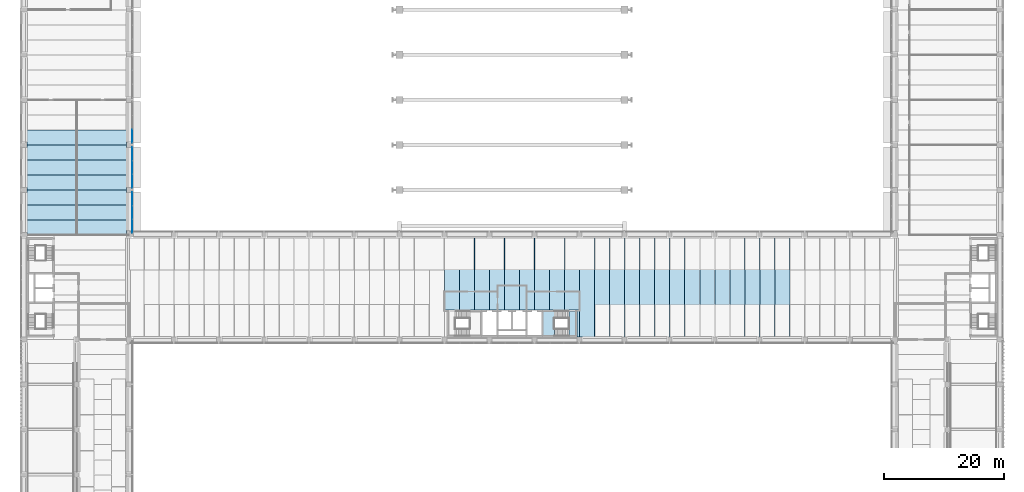
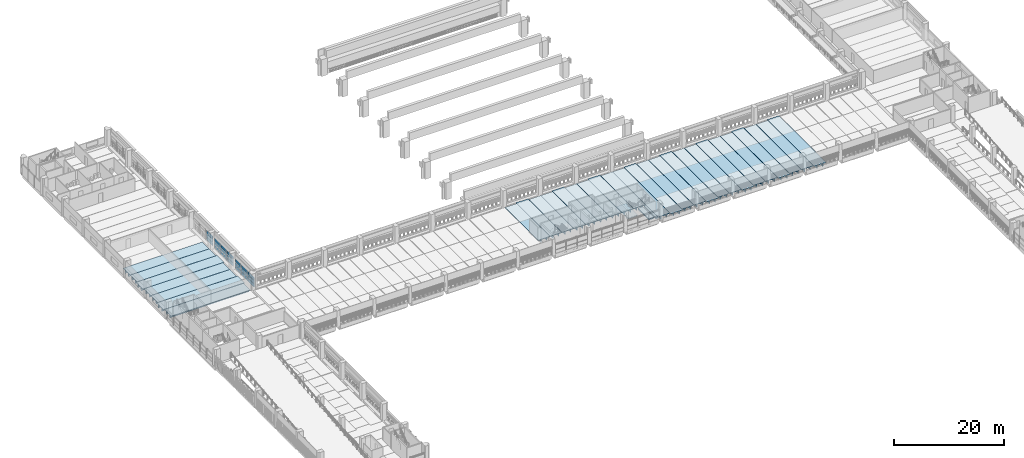
# One storey, part 27 of 61: 33 slabs, 21 plates, 4 elements without a shape of their own.
"""IFC4 building model written with IfcOpenShell, lengths in metres."""

from ifc_helpers import new_model, si_unit, direction, frame, origin, origin_2d, place, context, subcontext, project, spatial, polyline, rectangle, outline, extrude, material, layer, layer_set, material_profile, profile_set, type_object, element, aggregate, save


model = new_model("IFC4")

# Units and contexts
model_context = context("Model", 3, precision=1e-05, world=origin(), true_north=direction((0.0, 1.0)))
body_context = subcontext(model_context, "Body", "Model", "MODEL_VIEW")
ifc_project = project(units=[si_unit("LENGTHUNIT", "METRE"), si_unit("AREAUNIT", "SQUARE_METRE"), si_unit("VOLUMEUNIT", "CUBIC_METRE"), si_unit("PLANEANGLEUNIT", "RADIAN"), si_unit("MASSUNIT", "GRAM", prefix="KILO")], contexts=[model_context])

# Site, building, storey
site_placement = place(None, origin())
site = spatial("IfcSite", under=ifc_project, at=site_placement, CompositionType="ELEMENT")
building_placement = place(site_placement, origin())
building = spatial("IfcBuilding", under=site, at=building_placement, Name="Cour d'Honneur Mobility Palace", CompositionType="ELEMENT")
storey_placement = place(building_placement, frame((0.0, 0.0, 11.89990234375)))
storey = spatial("IfcBuildingStorey", under=building, at=storey_placement, Name="L03", CompositionType="ELEMENT", Elevation=11.89990234375)

# Slabs
ifc_material_1 = material(Name="Concrete C50", Category="concrete")
ifc_layer_1 = layer(ifc_material_1, 0.25)
ifc_layer_set_1 = layer_set([ifc_layer_1], Name="Concrete C50")
slab_type_1 = type_object("IfcSlabType", Name="Cast-in-place Slab 250", PredefinedType="FLOOR", material=ifc_layer_set_1)
slab_1_placement = place(storey_placement, frame((0.0, 0.0, -0.25)))
element("IfcSlab", 1, at=slab_1_placement, inside=storey, type_object=slab_type_1, Name="Cast-in-place slab S1 L03 core", PredefinedType="FLOOR", context=body_context, shape_type="SweptSolid", body=[
    extrude(outline(polyline([(91.949951171875, 45.449951171875), (91.949951171875, 49.800048828125), (92.39990234375, 49.800048828125), (92.39990234375, 45.449951171875), (91.949951171875, 45.449951171875)])), origin(), (0.0, 0.0, 1.0), 0.25),
])
slab_2_placement = place(storey_placement, frame((0.0, 0.0, -0.25)))
element("IfcSlab", 2, at=slab_2_placement, inside=storey, type_object=slab_type_1, Name="Cast-in-place slab S1 L03 core", PredefinedType="FLOOR", context=body_context, shape_type="SweptSolid", body=[
    extrude(outline(polyline([(91.699951171875, 45.699951171875), (90.625, 45.699951171875), (90.625, 49.675048828125), (91.699951171875, 49.675048828125), (91.699951171875, 45.699951171875)])), origin(), (0.0, 0.0, 1.0), 0.25),
])

# Curtain wall, plates
ifc_material_2 = material(Name="Aluminium and glass", Category="aluminium")
ifc_layer_2 = layer(ifc_material_2, 0.10009765625)
ifc_layer_set_2 = layer_set([ifc_layer_2], Name="Aluminium and glass")
curtain_wall_type = type_object("IfcCurtainWallType", Name="Curtain wall run", PredefinedType="NOTDEFINED", material=ifc_layer_set_2)
curtain_wall_1_placement = place(storey_placement, origin())
curtain_wall_1 = element("IfcCurtainWall", 3, at=curtain_wall_1_placement, inside=storey, type_object=curtain_wall_type, Name="Curtain wall CW-30", PredefinedType="NOTDEFINED")
ifc_material_3 = material(Name="Double glazing", Category="glass")
ifc_layer_3 = layer(ifc_material_3, 0.028076171875)
ifc_layer_set_3 = layer_set([ifc_layer_3], Name="Double glazing")
plate_type = type_object("IfcPlateType", Name="Curtain wall panel", PredefinedType="CURTAIN_PANEL", material=ifc_layer_set_3)
plate_1_placement = place(storey_placement, frame((17.949951171875, 63.864990234375, 0.06005859375), z_axis=(0.0, 0.0, 1.0), x_axis=(0.0, 1.0, 0.0)))
plate_1 = element("IfcPlate", 4, at=plate_1_placement, type_object=plate_type, Name="CW-30 panel 1.1", PredefinedType="CURTAIN_PANEL", context=body_context, shape_type="SweptSolid", body=[
    extrude(rectangle(XDim=2.2099609375, YDim=0.028076171875, at=origin_2d()), origin(), (0.0, 0.0, 1.0), 0.6767578125),
])
plate_2_placement = place(storey_placement, frame((17.949951171875, 63.864990234375, 0.796875), z_axis=(0.0, 0.0, 1.0), x_axis=(0.0, 1.0, 0.0)))
plate_2 = element("IfcPlate", 5, at=plate_2_placement, type_object=plate_type, Name="CW-30 panel 1.2", PredefinedType="CURTAIN_PANEL", context=body_context, shape_type="SweptSolid", body=[
    extrude(rectangle(XDim=2.2099609375, YDim=0.028076171875, at=origin_2d()), origin(), (0.0, 0.0, 1.0), 0.706787109375),
])
plate_3_placement = place(storey_placement, frame((17.949951171875, 63.864990234375, 1.5634765625), z_axis=(0.0, 0.0, 1.0), x_axis=(0.0, 1.0, 0.0)))
plate_3 = element("IfcPlate", 6, at=plate_3_placement, type_object=plate_type, Name="CW-30 panel 1.3", PredefinedType="CURTAIN_PANEL", context=body_context, shape_type="SweptSolid", body=[
    extrude(rectangle(XDim=2.2099609375, YDim=0.028076171875, at=origin_2d()), origin(), (0.0, 0.0, 1.0), 0.6767578125),
])
plate_4_placement = place(storey_placement, frame((17.949951171875, 66.14990234375, 0.06005859375), z_axis=(0.0, 0.0, 1.0), x_axis=(0.0, 1.0, 0.0)))
plate_4 = element("IfcPlate", 7, at=plate_4_placement, type_object=plate_type, Name="CW-30 panel 2.1", PredefinedType="CURTAIN_PANEL", context=body_context, shape_type="SweptSolid", body=[
    extrude(rectangle(XDim=2.239990234375, YDim=0.028076171875, at=origin_2d()), origin(), (0.0, 0.0, 1.0), 0.6767578125),
])
plate_5_placement = place(storey_placement, frame((17.949951171875, 66.14990234375, 0.796875), z_axis=(0.0, 0.0, 1.0), x_axis=(0.0, 1.0, 0.0)))
plate_5 = element("IfcPlate", 8, at=plate_5_placement, type_object=plate_type, Name="CW-30 panel 2.2", PredefinedType="CURTAIN_PANEL", context=body_context, shape_type="SweptSolid", body=[
    extrude(rectangle(XDim=2.239990234375, YDim=0.028076171875, at=origin_2d()), origin(), (0.0, 0.0, 1.0), 0.706787109375),
])
plate_6_placement = place(storey_placement, frame((17.949951171875, 66.14990234375, 1.5634765625), z_axis=(0.0, 0.0, 1.0), x_axis=(0.0, 1.0, 0.0)))
plate_6 = element("IfcPlate", 9, at=plate_6_placement, type_object=plate_type, Name="CW-30 panel 2.3", PredefinedType="CURTAIN_PANEL", context=body_context, shape_type="SweptSolid", body=[
    extrude(rectangle(XDim=2.239990234375, YDim=0.028076171875, at=origin_2d()), origin(), (0.0, 0.0, 1.0), 0.6767578125),
])
plate_7_placement = place(storey_placement, frame((17.949951171875, 68.43505859375, 0.06005859375), z_axis=(0.0, 0.0, 1.0), x_axis=(0.0, 1.0, 0.0)))
plate_7 = element("IfcPlate", 10, at=plate_7_placement, type_object=plate_type, Name="CW-30 panel 3.1", PredefinedType="CURTAIN_PANEL", context=body_context, shape_type="SweptSolid", body=[
    extrude(rectangle(XDim=2.2099609375, YDim=0.028076171875, at=origin_2d()), origin(), (0.0, 0.0, 1.0), 0.6767578125),
])
plate_8_placement = place(storey_placement, frame((17.949951171875, 68.43505859375, 0.796875), z_axis=(0.0, 0.0, 1.0), x_axis=(0.0, 1.0, 0.0)))
plate_8 = element("IfcPlate", 11, at=plate_8_placement, type_object=plate_type, Name="CW-30 panel 3.2", PredefinedType="CURTAIN_PANEL", context=body_context, shape_type="SweptSolid", body=[
    extrude(rectangle(XDim=2.2099609375, YDim=0.028076171875, at=origin_2d()), origin(), (0.0, 0.0, 1.0), 0.706787109375),
])
plate_9_placement = place(storey_placement, frame((17.949951171875, 68.43505859375, 1.5634765625), z_axis=(0.0, 0.0, 1.0), x_axis=(0.0, 1.0, 0.0)))
plate_9 = element("IfcPlate", 12, at=plate_9_placement, type_object=plate_type, Name="CW-30 panel 3.3", PredefinedType="CURTAIN_PANEL", context=body_context, shape_type="SweptSolid", body=[
    extrude(rectangle(XDim=2.2099609375, YDim=0.028076171875, at=origin_2d()), origin(), (0.0, 0.0, 1.0), 0.6767578125),
])
aggregate(curtain_wall_1, [plate_1, plate_2, plate_3, plate_4, plate_5, plate_6, plate_7, plate_8, plate_9])

curtain_wall_2_placement = place(storey_placement, origin())
curtain_wall_2 = element("IfcCurtainWall", 13, at=curtain_wall_2_placement, inside=storey, type_object=curtain_wall_type, Name="Curtain wall CW-31", PredefinedType="NOTDEFINED")
plate_10_placement = place(storey_placement, frame((17.949951171875, 71.364990234375, 0.06005859375), z_axis=(0.0, 0.0, 1.0), x_axis=(0.0, 1.0, 0.0)))
plate_10 = element("IfcPlate", 14, at=plate_10_placement, type_object=plate_type, Name="CW-31 panel 1.1", PredefinedType="CURTAIN_PANEL", context=body_context, shape_type="SweptSolid", body=[
    extrude(rectangle(XDim=2.2099609375, YDim=0.028076171875, at=origin_2d()), origin(), (0.0, 0.0, 1.0), 0.6767578125),
])
plate_11_placement = place(storey_placement, frame((17.949951171875, 71.364990234375, 0.796875), z_axis=(0.0, 0.0, 1.0), x_axis=(0.0, 1.0, 0.0)))
plate_11 = element("IfcPlate", 15, at=plate_11_placement, type_object=plate_type, Name="CW-31 panel 1.2", PredefinedType="CURTAIN_PANEL", context=body_context, shape_type="SweptSolid", body=[
    extrude(rectangle(XDim=2.2099609375, YDim=0.028076171875, at=origin_2d()), origin(), (0.0, 0.0, 1.0), 0.706787109375),
])
plate_12_placement = place(storey_placement, frame((17.949951171875, 71.364990234375, 1.5634765625), z_axis=(0.0, 0.0, 1.0), x_axis=(0.0, 1.0, 0.0)))
plate_12 = element("IfcPlate", 16, at=plate_12_placement, type_object=plate_type, Name="CW-31 panel 1.3", PredefinedType="CURTAIN_PANEL", context=body_context, shape_type="SweptSolid", body=[
    extrude(rectangle(XDim=2.2099609375, YDim=0.028076171875, at=origin_2d()), origin(), (0.0, 0.0, 1.0), 0.6767578125),
])
plate_13_placement = place(storey_placement, frame((17.949951171875, 73.64990234375, 0.06005859375), z_axis=(0.0, 0.0, 1.0), x_axis=(0.0, 1.0, 0.0)))
plate_13 = element("IfcPlate", 17, at=plate_13_placement, type_object=plate_type, Name="CW-31 panel 2.1", PredefinedType="CURTAIN_PANEL", context=body_context, shape_type="SweptSolid", body=[
    extrude(rectangle(XDim=2.239990234375, YDim=0.028076171875, at=origin_2d()), origin(), (0.0, 0.0, 1.0), 0.6767578125),
])
plate_14_placement = place(storey_placement, frame((17.949951171875, 73.64990234375, 0.796875), z_axis=(0.0, 0.0, 1.0), x_axis=(0.0, 1.0, 0.0)))
plate_14 = element("IfcPlate", 18, at=plate_14_placement, type_object=plate_type, Name="CW-31 panel 2.2", PredefinedType="CURTAIN_PANEL", context=body_context, shape_type="SweptSolid", body=[
    extrude(rectangle(XDim=2.239990234375, YDim=0.028076171875, at=origin_2d()), origin(), (0.0, 0.0, 1.0), 0.706787109375),
])
plate_15_placement = place(storey_placement, frame((17.949951171875, 73.64990234375, 1.5634765625), z_axis=(0.0, 0.0, 1.0), x_axis=(0.0, 1.0, 0.0)))
plate_15 = element("IfcPlate", 19, at=plate_15_placement, type_object=plate_type, Name="CW-31 panel 2.3", PredefinedType="CURTAIN_PANEL", context=body_context, shape_type="SweptSolid", body=[
    extrude(rectangle(XDim=2.239990234375, YDim=0.028076171875, at=origin_2d()), origin(), (0.0, 0.0, 1.0), 0.6767578125),
])
plate_16_placement = place(storey_placement, frame((17.949951171875, 75.93505859375, 0.06005859375), z_axis=(0.0, 0.0, 1.0), x_axis=(0.0, 1.0, 0.0)))
plate_16 = element("IfcPlate", 20, at=plate_16_placement, type_object=plate_type, Name="CW-31 panel 3.1", PredefinedType="CURTAIN_PANEL", context=body_context, shape_type="SweptSolid", body=[
    extrude(rectangle(XDim=2.2099609375, YDim=0.028076171875, at=origin_2d()), origin(), (0.0, 0.0, 1.0), 0.6767578125),
])
plate_17_placement = place(storey_placement, frame((17.949951171875, 75.93505859375, 0.796875), z_axis=(0.0, 0.0, 1.0), x_axis=(0.0, 1.0, 0.0)))
plate_17 = element("IfcPlate", 21, at=plate_17_placement, type_object=plate_type, Name="CW-31 panel 3.2", PredefinedType="CURTAIN_PANEL", context=body_context, shape_type="SweptSolid", body=[
    extrude(rectangle(XDim=2.2099609375, YDim=0.028076171875, at=origin_2d()), origin(), (0.0, 0.0, 1.0), 0.706787109375),
])
plate_18_placement = place(storey_placement, frame((17.949951171875, 75.93505859375, 1.5634765625), z_axis=(0.0, 0.0, 1.0), x_axis=(0.0, 1.0, 0.0)))
plate_18 = element("IfcPlate", 22, at=plate_18_placement, type_object=plate_type, Name="CW-31 panel 3.3", PredefinedType="CURTAIN_PANEL", context=body_context, shape_type="SweptSolid", body=[
    extrude(rectangle(XDim=2.2099609375, YDim=0.028076171875, at=origin_2d()), origin(), (0.0, 0.0, 1.0), 0.6767578125),
])
aggregate(curtain_wall_2, [plate_10, plate_11, plate_12, plate_13, plate_14, plate_15, plate_16, plate_17, plate_18])

curtain_wall_3_placement = place(storey_placement, origin())
curtain_wall_3 = element("IfcCurtainWall", 23, at=curtain_wall_3_placement, inside=storey, type_object=curtain_wall_type, Name="Curtain wall CW-32", PredefinedType="NOTDEFINED")
plate_19_placement = place(storey_placement, frame((17.949951171875, 78.864990234375, 0.06005859375), z_axis=(0.0, 0.0, 1.0), x_axis=(0.0, 1.0, 0.0)))
plate_19 = element("IfcPlate", 24, at=plate_19_placement, type_object=plate_type, Name="CW-32 panel 1.1", PredefinedType="CURTAIN_PANEL", context=body_context, shape_type="SweptSolid", body=[
    extrude(rectangle(XDim=2.2099609375, YDim=0.028076171875, at=origin_2d()), origin(), (0.0, 0.0, 1.0), 0.6767578125),
])
plate_20_placement = place(storey_placement, frame((17.949951171875, 78.864990234375, 0.796875), z_axis=(0.0, 0.0, 1.0), x_axis=(0.0, 1.0, 0.0)))
plate_20 = element("IfcPlate", 25, at=plate_20_placement, type_object=plate_type, Name="CW-32 panel 1.2", PredefinedType="CURTAIN_PANEL", context=body_context, shape_type="SweptSolid", body=[
    extrude(rectangle(XDim=2.2099609375, YDim=0.028076171875, at=origin_2d()), origin(), (0.0, 0.0, 1.0), 0.706787109375),
])
plate_21_placement = place(storey_placement, frame((17.949951171875, 78.864990234375, 1.5634765625), z_axis=(0.0, 0.0, 1.0), x_axis=(0.0, 1.0, 0.0)))
plate_21 = element("IfcPlate", 26, at=plate_21_placement, type_object=plate_type, Name="CW-32 panel 1.3", PredefinedType="CURTAIN_PANEL", context=body_context, shape_type="SweptSolid", body=[
    extrude(rectangle(XDim=2.2099609375, YDim=0.028076171875, at=origin_2d()), origin(), (0.0, 0.0, 1.0), 0.6767578125),
])
aggregate(curtain_wall_3, [plate_19, plate_20, plate_21])

# Slabs
ifc_material_4 = material(Name="Concrete C45", Category="concrete")
ifc_material_profile_1 = material_profile(ifc_material_4, outline(polyline([(-1.2451171875, 0.0), (1.2451171875, 0.0), (1.2451171875, -0.10009765625), (0.679931640625, -0.10009765625), (0.64990234375, -0.64990234375), (0.550048828125, -0.64990234375), (0.52001953125, -0.10009765625), (-0.52001953125, -0.10009765625), (-0.550048828125, -0.64990234375), (-0.64990234375, -0.64990234375), (-0.679931640625, -0.10009765625), (-1.2451171875, -0.10009765625), (-1.2451171875, 0.0)])), Name="DT 2490x650")
ifc_profile_set_1 = profile_set([ifc_material_profile_1], Name="Concrete C45")
slab_type_2 = type_object("IfcSlabType", Name="DT 2490x650", PredefinedType="FLOOR", material=ifc_profile_set_1)
slab_3_placement = place(storey_placement, frame((71.14990234375, 49.925048828125, 0.0), z_axis=(0.0, 1.0, 0.0), x_axis=(-1.0, 0.0, 0.0)))
element("IfcSlab", 27, at=slab_3_placement, inside=storey, type_object=slab_type_2, Name="Double tee DT-C22 L03", PredefinedType="FLOOR", context=body_context, shape_type="SweptSolid", body=[
    extrude(outline(polyline([(-1.2451171875, 0.0), (1.2451171875, 0.0), (1.2451171875, -0.10009765625), (0.679931640625, -0.10009765625), (0.64990234375, -0.64990234375), (0.550048828125, -0.64990234375), (0.52001953125, -0.10009765625), (-0.52001953125, -0.10009765625), (-0.550048828125, -0.64990234375), (-0.64990234375, -0.64990234375), (-0.679931640625, -0.10009765625), (-1.2451171875, -0.10009765625), (-1.2451171875, 0.0)])), origin(), (0.0, 0.0, 1.0), 12.02490234375),
])
slab_4_placement = place(storey_placement, frame((73.64990234375, 49.925048828125, 0.0), z_axis=(0.0, 1.0, 0.0), x_axis=(-1.0, 0.0, 0.0)))
element("IfcSlab", 28, at=slab_4_placement, inside=storey, type_object=slab_type_2, Name="Double tee DT-C23 L03", PredefinedType="FLOOR", context=body_context, shape_type="SweptSolid", body=[
    extrude(outline(polyline([(-1.2451171875, 0.0), (1.2451171875, 0.0), (1.2451171875, -0.10009765625), (0.679931640625, -0.10009765625), (0.64990234375, -0.64990234375), (0.550048828125, -0.64990234375), (0.52001953125, -0.10009765625), (-0.52001953125, -0.10009765625), (-0.550048828125, -0.64990234375), (-0.64990234375, -0.64990234375), (-0.679931640625, -0.10009765625), (-1.2451171875, -0.10009765625), (-1.2451171875, 0.0)])), origin(), (0.0, 0.0, 1.0), 12.27490234375),
])
for number, where, z_axis, x_axis, name in (
    (29, (76.14990234375, 49.925048828125, 0.0), (0.0, 1.0, 0.0), (-1.0, 0.0, 0.0), "Double tee DT-C24 L03"),
    (30, (78.64990234375, 49.925048828125, 0.0), (0.0, 1.0, 0.0), (-1.0, 0.0, 0.0), "Double tee DT-C25 L03"),
):
    element("IfcSlab", number, at=place(storey_placement, frame(where, z_axis=z_axis, x_axis=x_axis)), inside=storey, type_object=slab_type_2, Name=name, PredefinedType="FLOOR", context=body_context, shape_type="SweptSolid", body=[
        extrude(outline(polyline([(-1.2451171875, 0.0), (1.2451171875, 0.0), (1.2451171875, -0.10009765625), (0.679931640625, -0.10009765625), (0.64990234375, -0.64990234375), (0.550048828125, -0.64990234375), (0.52001953125, -0.10009765625), (-0.52001953125, -0.10009765625), (-0.550048828125, -0.64990234375), (-0.64990234375, -0.64990234375), (-0.679931640625, -0.10009765625), (-1.2451171875, -0.10009765625), (-1.2451171875, 0.0)])), origin(), (0.0, 0.0, 1.0), 12.02490234375),
    ])
slab_5_placement = place(storey_placement, frame((81.14990234375, 49.925048828125, 0.0), z_axis=(0.0, 1.0, 0.0), x_axis=(-1.0, 0.0, 0.0)))
element("IfcSlab", 31, at=slab_5_placement, inside=storey, type_object=slab_type_2, Name="Double tee DT-C26 L03", PredefinedType="FLOOR", context=body_context, shape_type="SweptSolid", body=[
    extrude(outline(polyline([(-1.2451171875, 0.0), (1.2451171875, 0.0), (1.2451171875, -0.10009765625), (0.679931640625, -0.10009765625), (0.64990234375, -0.64990234375), (0.550048828125, -0.64990234375), (0.52001953125, -0.10009765625), (-0.52001953125, -0.10009765625), (-0.550048828125, -0.64990234375), (-0.64990234375, -0.64990234375), (-0.679931640625, -0.10009765625), (-1.2451171875, -0.10009765625), (-1.2451171875, 0.0)])), origin(), (0.0, 0.0, 1.0), 12.27490234375),
])
for number, where, z_axis, x_axis, name in (
    (32, (83.64990234375, 49.925048828125, 0.0), (0.0, 1.0, 0.0), (-1.0, 0.0, 0.0), "Double tee DT-C27 L03"),
    (33, (86.14990234375, 49.925048828125, 0.0), (0.0, 1.0, 0.0), (-1.0, 0.0, 0.0), "Double tee DT-C28 L03"),
):
    element("IfcSlab", number, at=place(storey_placement, frame(where, z_axis=z_axis, x_axis=x_axis)), inside=storey, type_object=slab_type_2, Name=name, PredefinedType="FLOOR", context=body_context, shape_type="SweptSolid", body=[
        extrude(outline(polyline([(-1.2451171875, 0.0), (1.2451171875, 0.0), (1.2451171875, -0.10009765625), (0.679931640625, -0.10009765625), (0.64990234375, -0.64990234375), (0.550048828125, -0.64990234375), (0.52001953125, -0.10009765625), (-0.52001953125, -0.10009765625), (-0.550048828125, -0.64990234375), (-0.64990234375, -0.64990234375), (-0.679931640625, -0.10009765625), (-1.2451171875, -0.10009765625), (-1.2451171875, 0.0)])), origin(), (0.0, 0.0, 1.0), 12.02490234375),
    ])
slab_6_placement = place(storey_placement, frame((88.64990234375, 49.925048828125, 0.0), z_axis=(0.0, 1.0, 0.0), x_axis=(-1.0, 0.0, 0.0)))
element("IfcSlab", 34, at=slab_6_placement, inside=storey, type_object=slab_type_2, Name="Double tee DT-C29 L03", PredefinedType="FLOOR", context=body_context, shape_type="SweptSolid", body=[
    extrude(outline(polyline([(-1.2451171875, 0.0), (1.2451171875, 0.0), (1.2451171875, -0.10009765625), (0.679931640625, -0.10009765625), (0.64990234375, -0.64990234375), (0.550048828125, -0.64990234375), (0.52001953125, -0.10009765625), (-0.52001953125, -0.10009765625), (-0.550048828125, -0.64990234375), (-0.64990234375, -0.64990234375), (-0.679931640625, -0.10009765625), (-1.2451171875, -0.10009765625), (-1.2451171875, 0.0)])), origin(), (0.0, 0.0, 1.0), 12.27490234375),
])
slab_7_placement = place(storey_placement, frame((91.14990234375, 49.925048828125, 0.0), z_axis=(0.0, 1.0, 0.0), x_axis=(-1.0, 0.0, 0.0)))
element("IfcSlab", 35, at=slab_7_placement, inside=storey, type_object=slab_type_2, Name="Double tee DT-C30 L03", PredefinedType="FLOOR", context=body_context, shape_type="SweptSolid", body=[
    extrude(outline(polyline([(-1.2451171875, 0.0), (1.2451171875, 0.0), (1.2451171875, -0.10009765625), (0.679931640625, -0.10009765625), (0.64990234375, -0.64990234375), (0.550048828125, -0.64990234375), (0.52001953125, -0.10009765625), (-0.52001953125, -0.10009765625), (-0.550048828125, -0.64990234375), (-0.64990234375, -0.64990234375), (-0.679931640625, -0.10009765625), (-1.2451171875, -0.10009765625), (-1.2451171875, 0.0)])), origin(), (0.0, 0.0, 1.0), 12.02490234375),
])
ifc_material_5 = material(Name="Concrete C45", Category="concrete")
ifc_material_profile_2 = material_profile(ifc_material_5, outline(polyline([(-1.2451171875, 0.0), (1.2451171875, 0.0), (1.2451171875, -0.10009765625), (0.679931640625, -0.10009765625), (0.64990234375, -0.75), (0.550048828125, -0.75), (0.52001953125, -0.10009765625), (-0.52001953125, -0.10009765625), (-0.550048828125, -0.75), (-0.64990234375, -0.75), (-0.679931640625, -0.10009765625), (-1.2451171875, -0.10009765625), (-1.2451171875, 0.0)])), Name="DT 2490x750")
ifc_profile_set_2 = profile_set([ifc_material_profile_2], Name="Concrete C45")
slab_type_3 = type_object("IfcSlabType", Name="DT 2490x750", PredefinedType="FLOOR", material=ifc_profile_set_2)
slab_8_placement = place(storey_placement, frame((0.449951171875, 63.64990234375, 0.0), z_axis=(1.0, 0.0, 0.0), x_axis=(0.0, 1.0, 0.0)))
element("IfcSlab", 36, at=slab_8_placement, inside=storey, type_object=slab_type_3, Name="Double tee DT-NW1 L03", PredefinedType="FLOOR", context=body_context, shape_type="SweptSolid", body=[
    extrude(outline(polyline([(-1.2451171875, 0.0), (1.2451171875, 0.0), (1.2451171875, -0.10009765625), (0.679931640625, -0.10009765625), (0.64990234375, -0.75), (0.550048828125, -0.75), (0.52001953125, -0.10009765625), (-0.52001953125, -0.10009765625), (-0.550048828125, -0.75), (-0.64990234375, -0.75), (-0.679931640625, -0.10009765625), (-1.2451171875, -0.10009765625), (-1.2451171875, 0.0)])), origin(), (0.0, 0.0, 1.0), 16.5),
])
slab_9_placement = place(storey_placement, frame((0.199951171875, 66.14990234375, 0.0), z_axis=(1.0, 0.0, 0.0), x_axis=(0.0, 1.0, 0.0)))
element("IfcSlab", 37, at=slab_9_placement, inside=storey, type_object=slab_type_3, Name="Double tee DT-NW2 L03", PredefinedType="FLOOR", context=body_context, shape_type="SweptSolid", body=[
    extrude(outline(polyline([(-1.2451171875, 0.0), (1.2451171875, 0.0), (1.2451171875, -0.10009765625), (0.679931640625, -0.10009765625), (0.64990234375, -0.75), (0.550048828125, -0.75), (0.52001953125, -0.10009765625), (-0.52001953125, -0.10009765625), (-0.550048828125, -0.75), (-0.64990234375, -0.75), (-0.679931640625, -0.10009765625), (-1.2451171875, -0.10009765625), (-1.2451171875, 0.0)])), origin(), (0.0, 0.0, 1.0), 17.0),
])
for number, where, z_axis, x_axis, name in (
    (38, (0.449951171875, 68.64990234375, 0.0), (1.0, 0.0, 0.0), (0.0, 1.0, 0.0), "Double tee DT-NW3 L03"),
    (39, (0.449951171875, 71.14990234375, 0.0), (1.0, 0.0, 0.0), (0.0, 1.0, 0.0), "Double tee DT-NW4 L03"),
):
    element("IfcSlab", number, at=place(storey_placement, frame(where, z_axis=z_axis, x_axis=x_axis)), inside=storey, type_object=slab_type_3, Name=name, PredefinedType="FLOOR", context=body_context, shape_type="SweptSolid", body=[
        extrude(outline(polyline([(-1.2451171875, 0.0), (1.2451171875, 0.0), (1.2451171875, -0.10009765625), (0.679931640625, -0.10009765625), (0.64990234375, -0.75), (0.550048828125, -0.75), (0.52001953125, -0.10009765625), (-0.52001953125, -0.10009765625), (-0.550048828125, -0.75), (-0.64990234375, -0.75), (-0.679931640625, -0.10009765625), (-1.2451171875, -0.10009765625), (-1.2451171875, 0.0)])), origin(), (0.0, 0.0, 1.0), 16.5),
    ])
slab_10_placement = place(storey_placement, frame((0.199951171875, 73.64990234375, 0.0), z_axis=(1.0, 0.0, 0.0), x_axis=(0.0, 1.0, 0.0)))
element("IfcSlab", 40, at=slab_10_placement, inside=storey, type_object=slab_type_3, Name="Double tee DT-NW5 L03", PredefinedType="FLOOR", context=body_context, shape_type="SweptSolid", body=[
    extrude(outline(polyline([(-1.2451171875, 0.0), (1.2451171875, 0.0), (1.2451171875, -0.10009765625), (0.679931640625, -0.10009765625), (0.64990234375, -0.75), (0.550048828125, -0.75), (0.52001953125, -0.10009765625), (-0.52001953125, -0.10009765625), (-0.550048828125, -0.75), (-0.64990234375, -0.75), (-0.679931640625, -0.10009765625), (-1.2451171875, -0.10009765625), (-1.2451171875, 0.0)])), origin(), (0.0, 0.0, 1.0), 17.0),
])
for number, where, z_axis, x_axis, name in (
    (41, (0.449951171875, 76.14990234375, 0.0), (1.0, 0.0, 0.0), (0.0, 1.0, 0.0), "Double tee DT-NW6 L03"),
    (42, (0.449951171875, 78.64990234375, 0.0), (1.0, 0.0, 0.0), (0.0, 1.0, 0.0), "Double tee DT-NW7 L03"),
    (43, (93.64990234375, 45.449951171875, 0.0), (0.0, 1.0, 0.0), (-1.0, 0.0, 0.0), "Double tee DT-C31 L03"),
):
    element("IfcSlab", number, at=place(storey_placement, frame(where, z_axis=z_axis, x_axis=x_axis)), inside=storey, type_object=slab_type_3, Name=name, PredefinedType="FLOOR", context=body_context, shape_type="SweptSolid", body=[
        extrude(outline(polyline([(-1.2451171875, 0.0), (1.2451171875, 0.0), (1.2451171875, -0.10009765625), (0.679931640625, -0.10009765625), (0.64990234375, -0.75), (0.550048828125, -0.75), (0.52001953125, -0.10009765625), (-0.52001953125, -0.10009765625), (-0.550048828125, -0.75), (-0.64990234375, -0.75), (-0.679931640625, -0.10009765625), (-1.2451171875, -0.10009765625), (-1.2451171875, 0.0)])), origin(), (0.0, 0.0, 1.0), 16.5),
    ])
slab_11_placement = place(storey_placement, frame((96.14990234375, 45.199951171875, 0.0), z_axis=(0.0, 1.0, 0.0), x_axis=(-1.0, 0.0, 0.0)))
element("IfcSlab", 44, at=slab_11_placement, inside=storey, type_object=slab_type_3, Name="Double tee DT-C32 L03", PredefinedType="FLOOR", context=body_context, shape_type="SweptSolid", body=[
    extrude(outline(polyline([(-1.2451171875, 0.0), (1.2451171875, 0.0), (1.2451171875, -0.10009765625), (0.679931640625, -0.10009765625), (0.64990234375, -0.75), (0.550048828125, -0.75), (0.52001953125, -0.10009765625), (-0.52001953125, -0.10009765625), (-0.550048828125, -0.75), (-0.64990234375, -0.75), (-0.679931640625, -0.10009765625), (-1.2451171875, -0.10009765625), (-1.2451171875, 0.0)])), origin(), (0.0, 0.0, 1.0), 17.0),
])
for number, where, z_axis, x_axis, name in (
    (45, (98.64990234375, 45.449951171875, 0.0), (0.0, 1.0, 0.0), (-1.0, 0.0, 0.0), "Double tee DT-C33 L03"),
    (46, (101.14990234375, 45.449951171875, 0.0), (0.0, 1.0, 0.0), (-1.0, 0.0, 0.0), "Double tee DT-C34 L03"),
):
    element("IfcSlab", number, at=place(storey_placement, frame(where, z_axis=z_axis, x_axis=x_axis)), inside=storey, type_object=slab_type_3, Name=name, PredefinedType="FLOOR", context=body_context, shape_type="SweptSolid", body=[
        extrude(outline(polyline([(-1.2451171875, 0.0), (1.2451171875, 0.0), (1.2451171875, -0.10009765625), (0.679931640625, -0.10009765625), (0.64990234375, -0.75), (0.550048828125, -0.75), (0.52001953125, -0.10009765625), (-0.52001953125, -0.10009765625), (-0.550048828125, -0.75), (-0.64990234375, -0.75), (-0.679931640625, -0.10009765625), (-1.2451171875, -0.10009765625), (-1.2451171875, 0.0)])), origin(), (0.0, 0.0, 1.0), 16.5),
    ])
slab_12_placement = place(storey_placement, frame((103.64990234375, 45.199951171875, 0.0), z_axis=(0.0, 1.0, 0.0), x_axis=(-1.0, 0.0, 0.0)))
element("IfcSlab", 47, at=slab_12_placement, inside=storey, type_object=slab_type_3, Name="Double tee DT-C35 L03", PredefinedType="FLOOR", context=body_context, shape_type="SweptSolid", body=[
    extrude(outline(polyline([(-1.2451171875, 0.0), (1.2451171875, 0.0), (1.2451171875, -0.10009765625), (0.679931640625, -0.10009765625), (0.64990234375, -0.75), (0.550048828125, -0.75), (0.52001953125, -0.10009765625), (-0.52001953125, -0.10009765625), (-0.550048828125, -0.75), (-0.64990234375, -0.75), (-0.679931640625, -0.10009765625), (-1.2451171875, -0.10009765625), (-1.2451171875, 0.0)])), origin(), (0.0, 0.0, 1.0), 17.0),
])
for number, where, z_axis, x_axis, name in (
    (48, (106.14990234375, 45.449951171875, 0.0), (0.0, 1.0, 0.0), (-1.0, 0.0, 0.0), "Double tee DT-C36 L03"),
    (49, (108.64990234375, 45.449951171875, 0.0), (0.0, 1.0, 0.0), (-1.0, 0.0, 0.0), "Double tee DT-C37 L03"),
):
    element("IfcSlab", number, at=place(storey_placement, frame(where, z_axis=z_axis, x_axis=x_axis)), inside=storey, type_object=slab_type_3, Name=name, PredefinedType="FLOOR", context=body_context, shape_type="SweptSolid", body=[
        extrude(outline(polyline([(-1.2451171875, 0.0), (1.2451171875, 0.0), (1.2451171875, -0.10009765625), (0.679931640625, -0.10009765625), (0.64990234375, -0.75), (0.550048828125, -0.75), (0.52001953125, -0.10009765625), (-0.52001953125, -0.10009765625), (-0.550048828125, -0.75), (-0.64990234375, -0.75), (-0.679931640625, -0.10009765625), (-1.2451171875, -0.10009765625), (-1.2451171875, 0.0)])), origin(), (0.0, 0.0, 1.0), 16.5),
    ])
slab_13_placement = place(storey_placement, frame((111.14990234375, 45.199951171875, 0.0), z_axis=(0.0, 1.0, 0.0), x_axis=(-1.0, 0.0, 0.0)))
element("IfcSlab", 50, at=slab_13_placement, inside=storey, type_object=slab_type_3, Name="Double tee DT-C38 L03", PredefinedType="FLOOR", context=body_context, shape_type="SweptSolid", body=[
    extrude(outline(polyline([(-1.2451171875, 0.0), (1.2451171875, 0.0), (1.2451171875, -0.10009765625), (0.679931640625, -0.10009765625), (0.64990234375, -0.75), (0.550048828125, -0.75), (0.52001953125, -0.10009765625), (-0.52001953125, -0.10009765625), (-0.550048828125, -0.75), (-0.64990234375, -0.75), (-0.679931640625, -0.10009765625), (-1.2451171875, -0.10009765625), (-1.2451171875, 0.0)])), origin(), (0.0, 0.0, 1.0), 17.0),
])
for number, where, z_axis, x_axis, name in (
    (51, (113.64990234375, 45.449951171875, 0.0), (0.0, 1.0, 0.0), (-1.0, 0.0, 0.0), "Double tee DT-C39 L03"),
    (52, (116.14990234375, 45.449951171875, 0.0), (0.0, 1.0, 0.0), (-1.0, 0.0, 0.0), "Double tee DT-C40 L03"),
):
    element("IfcSlab", number, at=place(storey_placement, frame(where, z_axis=z_axis, x_axis=x_axis)), inside=storey, type_object=slab_type_3, Name=name, PredefinedType="FLOOR", context=body_context, shape_type="SweptSolid", body=[
        extrude(outline(polyline([(-1.2451171875, 0.0), (1.2451171875, 0.0), (1.2451171875, -0.10009765625), (0.679931640625, -0.10009765625), (0.64990234375, -0.75), (0.550048828125, -0.75), (0.52001953125, -0.10009765625), (-0.52001953125, -0.10009765625), (-0.550048828125, -0.75), (-0.64990234375, -0.75), (-0.679931640625, -0.10009765625), (-1.2451171875, -0.10009765625), (-1.2451171875, 0.0)])), origin(), (0.0, 0.0, 1.0), 16.5),
    ])
slab_14_placement = place(storey_placement, frame((118.64990234375, 45.199951171875, 0.0), z_axis=(0.0, 1.0, 0.0), x_axis=(-1.0, 0.0, 0.0)))
element("IfcSlab", 53, at=slab_14_placement, inside=storey, type_object=slab_type_3, Name="Double tee DT-C41 L03", PredefinedType="FLOOR", context=body_context, shape_type="SweptSolid", body=[
    extrude(outline(polyline([(-1.2451171875, 0.0), (1.2451171875, 0.0), (1.2451171875, -0.10009765625), (0.679931640625, -0.10009765625), (0.64990234375, -0.75), (0.550048828125, -0.75), (0.52001953125, -0.10009765625), (-0.52001953125, -0.10009765625), (-0.550048828125, -0.75), (-0.64990234375, -0.75), (-0.679931640625, -0.10009765625), (-1.2451171875, -0.10009765625), (-1.2451171875, 0.0)])), origin(), (0.0, 0.0, 1.0), 17.0),
])
for number, where, z_axis, x_axis, name in (
    (54, (121.14990234375, 45.449951171875, 0.0), (0.0, 1.0, 0.0), (-1.0, 0.0, 0.0), "Double tee DT-C42 L03"),
    (55, (123.64990234375, 45.449951171875, 0.0), (0.0, 1.0, 0.0), (-1.0, 0.0, 0.0), "Double tee DT-C43 L03"),
):
    element("IfcSlab", number, at=place(storey_placement, frame(where, z_axis=z_axis, x_axis=x_axis)), inside=storey, type_object=slab_type_3, Name=name, PredefinedType="FLOOR", context=body_context, shape_type="SweptSolid", body=[
        extrude(outline(polyline([(-1.2451171875, 0.0), (1.2451171875, 0.0), (1.2451171875, -0.10009765625), (0.679931640625, -0.10009765625), (0.64990234375, -0.75), (0.550048828125, -0.75), (0.52001953125, -0.10009765625), (-0.52001953125, -0.10009765625), (-0.550048828125, -0.75), (-0.64990234375, -0.75), (-0.679931640625, -0.10009765625), (-1.2451171875, -0.10009765625), (-1.2451171875, 0.0)])), origin(), (0.0, 0.0, 1.0), 16.5),
    ])
slab_15_placement = place(storey_placement, frame((126.14990234375, 45.199951171875, 0.0), z_axis=(0.0, 1.0, 0.0), x_axis=(-1.0, 0.0, 0.0)))
element("IfcSlab", 56, at=slab_15_placement, inside=storey, type_object=slab_type_3, Name="Double tee DT-C44 L03", PredefinedType="FLOOR", context=body_context, shape_type="SweptSolid", body=[
    extrude(outline(polyline([(-1.2451171875, 0.0), (1.2451171875, 0.0), (1.2451171875, -0.10009765625), (0.679931640625, -0.10009765625), (0.64990234375, -0.75), (0.550048828125, -0.75), (0.52001953125, -0.10009765625), (-0.52001953125, -0.10009765625), (-0.550048828125, -0.75), (-0.64990234375, -0.75), (-0.679931640625, -0.10009765625), (-1.2451171875, -0.10009765625), (-1.2451171875, 0.0)])), origin(), (0.0, 0.0, 1.0), 17.0),
])

# Stair, slab
ifc_material_6 = material(Name="Concrete C50", Category="concrete")
stair_type = type_object("IfcStairType", Name="Stair 20 risers", PredefinedType="HALF_TURN_STAIR", material=ifc_material_6)
stair_placement = place(storey_placement, origin())
stair = element("IfcStair", 57, at=stair_placement, inside=storey, type_object=stair_type, Name="Stair ST-CC2", PredefinedType="HALF_TURN_STAIR")
ifc_material_7 = material(Name="Concrete C50", Category="concrete")
ifc_layer_4 = layer(ifc_material_7, 0.199951171875)
ifc_layer_set_4 = layer_set([ifc_layer_4], Name="Concrete C50")
slab_type_4 = type_object("IfcSlabType", Name="Stair landing", PredefinedType="LANDING", material=ifc_layer_set_4)
slab_16_placement = place(storey_placement, frame((0.0, 0.0, 1.650146484375)))
slab_16 = element("IfcSlab", 58, at=slab_16_placement, type_object=slab_type_4, Name="ST-CC2 landing 1", PredefinedType="LANDING", context=body_context, shape_type="SweptSolid", body=[
    extrude(outline(polyline([(86.199951171875, 45.574951171875), (88.195068359375, 45.574951171875), (88.195068359375, 49.800048828125), (86.199951171875, 49.800048828125), (86.199951171875, 45.574951171875)])), origin(), (0.0, 0.0, 1.0), 0.199951171875),
])
aggregate(stair, [slab_16])

save(model, "model.ifc")
